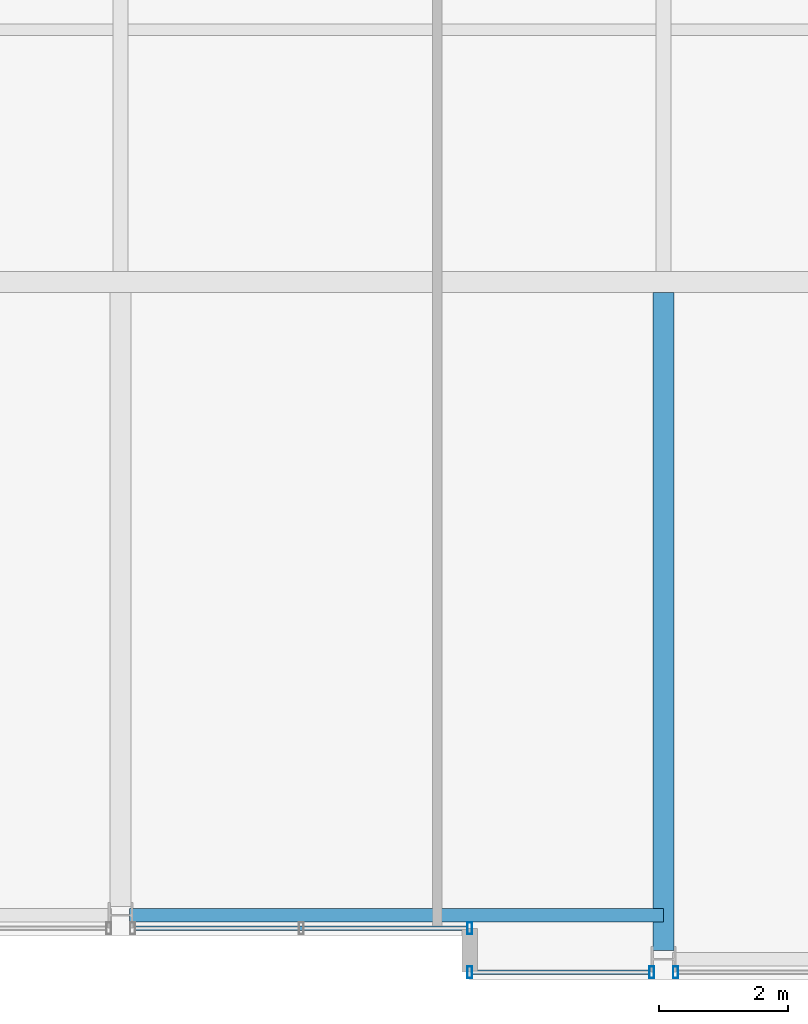
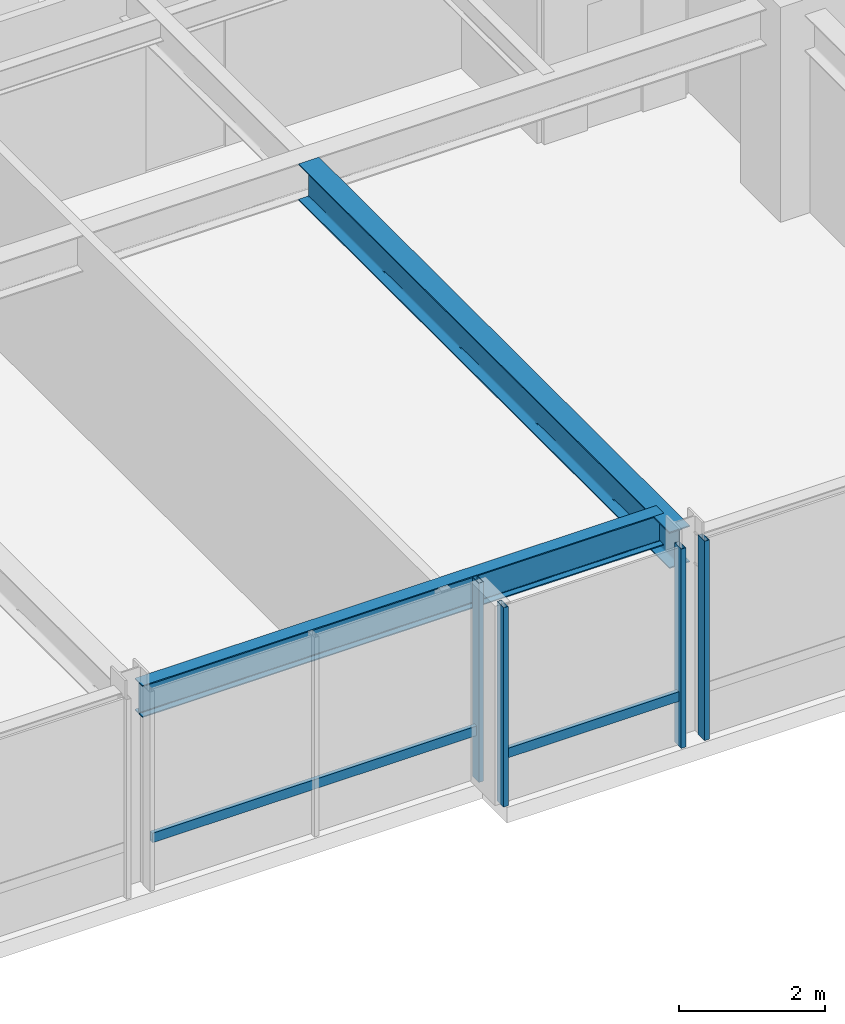
# One storey, part 6 of 30: 6 members, 2 beams, 3 elements without a shape of their own.
"""IFC4 building model written with IfcOpenShell, lengths in metres."""

from ifc_helpers import new_model, si_unit, direction, frame, origin, origin_2d, place, context, subcontext, project, spatial, hollow_rectangle, i_section, extrude, material, layer, layer_set, material_profile, profile_set, type_object, element, aggregate, save


model = new_model("IFC4")

# Units and contexts
model_context = context("Model", 3, precision=1e-05, world=origin(), true_north=direction((0.0, 1.0)))
body_context = subcontext(model_context, "Body", "Model", "MODEL_VIEW")
ifc_project = project(units=[si_unit("LENGTHUNIT", "METRE"), si_unit("AREAUNIT", "SQUARE_METRE"), si_unit("VOLUMEUNIT", "CUBIC_METRE"), si_unit("PLANEANGLEUNIT", "RADIAN"), si_unit("MASSUNIT", "GRAM", prefix="KILO")], contexts=[model_context])

# Site, building, storey
site_placement = place(None, origin())
site = spatial("IfcSite", under=ifc_project, at=site_placement, CompositionType="ELEMENT")
building_placement = place(site_placement, origin())
building = spatial("IfcBuilding", under=site, at=building_placement, Name="Drelvath Grand Hotel", CompositionType="ELEMENT")
storey_placement = place(building_placement, frame((0.0, 0.0, 215.89990234375)))
storey = spatial("IfcBuildingStorey", under=building, at=storey_placement, Name="L56", CompositionType="ELEMENT", Elevation=215.89990234375)

# Curtain wall, member
ifc_material_1 = material(Name="Platinum-Mist Anodised Aluminium Frame", Category="aluminium")
ifc_layer = layer(ifc_material_1, 0.199951171875)
ifc_layer_set = layer_set([ifc_layer], Name="Platinum-Mist Anodised Aluminium Frame")
curtain_wall_type = type_object("IfcCurtainWallType", Name="Stick Curtain Wall CW-05 Platinum Mist High-Rise", PredefinedType="NOTDEFINED", material=ifc_layer_set)
curtain_wall_1_placement = place(storey_placement, origin())
curtain_wall_1 = element("IfcCurtainWall", 1, at=curtain_wall_1_placement, inside=storey, type_object=curtain_wall_type, Name="L56 CW-05 Curtain Wall CW05-L56-SE1", PredefinedType="NOTDEFINED")
ifc_material_profile_1 = material_profile(ifc_material_1, hollow_rectangle(XDim=0.06494140625, YDim=0.159912109375, WallThickness=0.00390625, at=origin_2d()), Name="HSS160X65X4")
ifc_profile_set_1 = profile_set([ifc_material_profile_1], Name="Platinum-Mist Anodised Aluminium Frame")
member_type_1 = type_object("IfcMemberType", Name="Curtain Wall Horizontal Transom CW-05 HSS160X65X4", PredefinedType="USERDEFINED", material=ifc_profile_set_1)
member_1_placement = place(storey_placement, frame((8.1748046875, 0.1201171875, 0.835205078125), z_axis=(-1.0, 0.0, 0.0), x_axis=(0.0, -1.0, 0.0)))
member_1 = element("IfcMember", 2, at=member_1_placement, type_object=member_type_1, Name="CW05-L56-SE1 Sill Transom", ObjectType="TRANSOM", PredefinedType="USERDEFINED", context=body_context, shape_type="SweptSolid", body=[
    extrude(hollow_rectangle(XDim=0.06494140625, YDim=0.159912109375, WallThickness=0.00390625, at=origin_2d()), origin(), (0.0, 0.0, 1.0), 2.73486328125),
])

curtain_wall_2_placement = place(storey_placement, origin())
curtain_wall_2 = element("IfcCurtainWall", 3, at=curtain_wall_2_placement, inside=storey, type_object=curtain_wall_type, Name="L56 CW-05 Curtain Wall CW05-L56-SM2", PredefinedType="NOTDEFINED")
member_2_placement = place(storey_placement, frame((5.360107421875, 0.800048828125, 0.835205078125), z_axis=(-1.0, 0.0, 0.0), x_axis=(0.0, -1.0, 0.0)))
member_2 = element("IfcMember", 4, at=member_2_placement, type_object=member_type_1, Name="CW05-L56-SM2 Sill Transom", ObjectType="TRANSOM", PredefinedType="USERDEFINED", context=body_context, shape_type="SweptSolid", body=[
    extrude(hollow_rectangle(XDim=0.06494140625, YDim=0.159912109375, WallThickness=0.00390625, at=origin_2d()), origin(), (0.0, 0.0, 1.0), 5.134765625),
])

# Member
ifc_material_profile_2 = material_profile(ifc_material_1, hollow_rectangle(XDim=0.074951171875, YDim=0.179931640625, WallThickness=0.0048828125, at=origin_2d()), Name="HSS180X75X5")
ifc_profile_set_2 = profile_set([ifc_material_profile_2], Name="Platinum-Mist Anodised Aluminium Frame")
member_type_2 = type_object("IfcMemberType", Name="Curtain Wall Vertical Mullion CW-05 HSS180X75X5", PredefinedType="MULLION", material=ifc_profile_set_2)
member_3_placement = place(storey_placement, frame((8.214599609375, 0.1201171875, 0.0), z_axis=(0.0, 0.0, 1.0), x_axis=(1.0, 0.0, 0.0)))
member_3 = element("IfcMember", 5, at=member_3_placement, type_object=member_type_2, Name="CW05-L56-SE1 Mullion 1", PredefinedType="MULLION", context=body_context, shape_type="SweptSolid", body=[
    extrude(hollow_rectangle(XDim=0.074951171875, YDim=0.179931640625, WallThickness=0.0048828125, at=origin_2d()), origin(), (0.0, 0.0, 1.0), 3.340087890625),
])

member_4_placement = place(storey_placement, frame((5.39990234375, 0.1201171875, 0.0), z_axis=(0.0, 0.0, 1.0), x_axis=(1.0, 0.0, 0.0)))
member_4 = element("IfcMember", 6, at=member_4_placement, type_object=member_type_2, Name="CW05-L56-SE1 Mullion 2", PredefinedType="MULLION", context=body_context, shape_type="SweptSolid", body=[
    extrude(hollow_rectangle(XDim=0.074951171875, YDim=0.179931640625, WallThickness=0.0048828125, at=origin_2d()), origin(), (0.0, 0.0, 1.0), 3.340087890625),
])

aggregate(curtain_wall_1, [member_3, member_4, member_1])

# Curtain wall, member
curtain_wall_3_placement = place(storey_placement, origin())
curtain_wall_3 = element("IfcCurtainWall", 7, at=curtain_wall_3_placement, inside=storey, type_object=curtain_wall_type, Name="L56 CW-05 Curtain Wall CW05-L56-SE2", PredefinedType="NOTDEFINED")
member_5_placement = place(storey_placement, frame((8.585205078125, 0.1201171875, 0.0), z_axis=(0.0, 0.0, 1.0), x_axis=(1.0, 0.0, 0.0)))
member_5 = element("IfcMember", 8, at=member_5_placement, type_object=member_type_2, Name="CW05-L56-SE2 Mullion 3", PredefinedType="MULLION", context=body_context, shape_type="SweptSolid", body=[
    extrude(hollow_rectangle(XDim=0.074951171875, YDim=0.179931640625, WallThickness=0.0048828125, at=origin_2d()), origin(), (0.0, 0.0, 1.0), 3.340087890625),
])
aggregate(curtain_wall_3, [member_5])

# Member
member_6_placement = place(storey_placement, frame((5.39990234375, 0.800048828125, 0.0), z_axis=(0.0, 0.0, 1.0), x_axis=(1.0, 0.0, 0.0)))
member_6 = element("IfcMember", 9, at=member_6_placement, type_object=member_type_2, Name="CW05-L56-SM2 Mullion 1", PredefinedType="MULLION", context=body_context, shape_type="SweptSolid", body=[
    extrude(hollow_rectangle(XDim=0.074951171875, YDim=0.179931640625, WallThickness=0.0048828125, at=origin_2d()), origin(), (0.0, 0.0, 1.0), 3.340087890625),
])

aggregate(curtain_wall_2, [member_6, member_2])

# Beams
ifc_material_2 = material(Name="Steel ASTM A992 Gr 50", Category="steel")
ifc_material_profile_3 = material_profile(ifc_material_2, i_section(OverallWidth=0.210205078125, OverallDepth=0.53662109375, WebThickness=0.010986328125, FlangeThickness=0.017333984375, FilletRadius=0.01806640625, at=origin_2d()), Name="W21X68")
ifc_profile_set_3 = profile_set([ifc_material_profile_3], Name="Steel ASTM A992 Gr 50")
beam_type_1 = type_object("IfcBeamType", Name="Perimeter Spandrel Beam W21X68", PredefinedType="SPANDREL", material=ifc_profile_set_3)
beam_1_placement = place(storey_placement, frame((0.139892578125, 1.0, 3.07177734375), z_axis=(1.0, 0.0, 0.0), x_axis=(0.0, 1.0, 0.0)))
element("IfcBeam", 10, at=beam_1_placement, inside=storey, type_object=beam_type_1, Name="L56 Spandrel South Mid E", PredefinedType="SPANDREL", context=body_context, shape_type="SweptSolid", body=[
    extrude(i_section(OverallWidth=0.210205078125, OverallDepth=0.53662109375, WebThickness=0.010986328125, FlangeThickness=0.017333984375, FilletRadius=0.01806640625, at=origin_2d()), origin(), (0.0, 0.0, 1.0), 8.260009765625),
])
ifc_material_profile_4 = material_profile(ifc_material_2, i_section(OverallWidth=0.323974609375, OverallDepth=0.611083984375, WebThickness=0.0126953125, FlangeThickness=0.01904296875, FilletRadius=0.02197265625, at=origin_2d()), Name="W24X104")
ifc_profile_set_4 = profile_set([ifc_material_profile_4], Name="Steel ASTM A992 Gr 50")
beam_type_2 = type_object("IfcBeamType", Name="Primary Floor Girder W24X104", PredefinedType="BEAM", material=ifc_profile_set_4)
beam_2_placement = place(storey_placement, frame((8.39990234375, 0.4599609375, 3.034423828125), z_axis=(0.0, 1.0, 0.0), x_axis=(-1.0, 0.0, 0.0)))
element("IfcBeam", 11, at=beam_2_placement, inside=storey, type_object=beam_type_2, Name="L56 South Wing Girder 6", PredefinedType="BEAM", context=body_context, shape_type="SweptSolid", body=[
    extrude(i_section(OverallWidth=0.323974609375, OverallDepth=0.611083984375, WebThickness=0.0126953125, FlangeThickness=0.01904296875, FilletRadius=0.02197265625, at=origin_2d()), origin(), (0.0, 0.0, 1.0), 10.177978515625),
])

save(model, "model.ifc")
